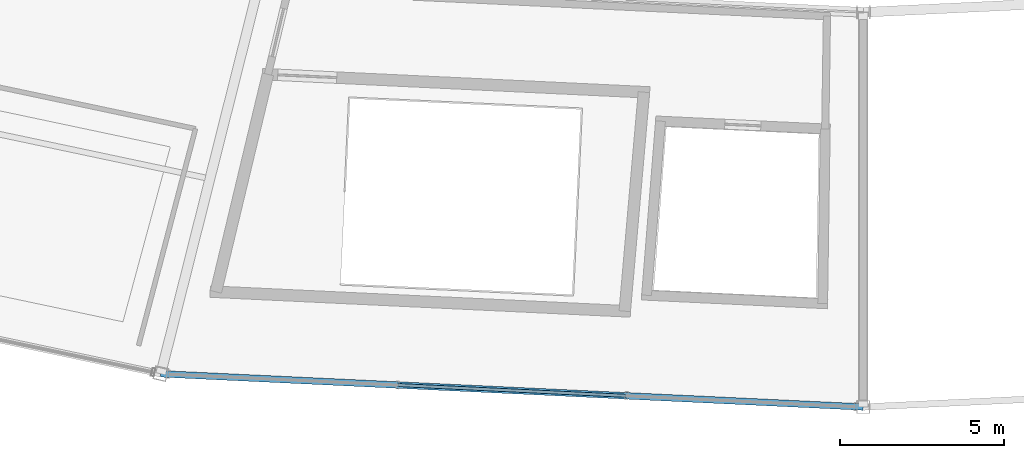
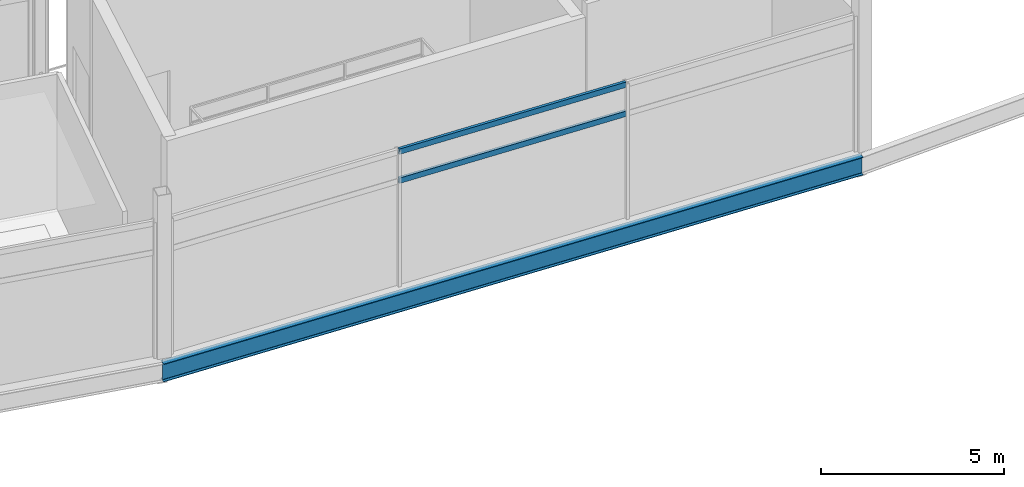
# One storey, part 32 of 86: 2 members, 1 beam, 1 element without a shape of its own.
"""IFC4 building model written with IfcOpenShell, lengths in metres."""

from ifc_helpers import new_model, si_unit, direction, frame, origin, origin_2d, place, context, subcontext, project, spatial, hollow_rectangle, i_section, extrude, material, layer, layer_set, material_profile, profile_set, type_object, element, aggregate, save


model = new_model("IFC4")

# Units and contexts
model_context = context("Model", 3, precision=1e-05, world=origin(), true_north=direction((0.0, 1.0)))
body_context = subcontext(model_context, "Body", "Model", "MODEL_VIEW")
ifc_project = project(units=[si_unit("LENGTHUNIT", "METRE"), si_unit("AREAUNIT", "SQUARE_METRE"), si_unit("VOLUMEUNIT", "CUBIC_METRE"), si_unit("PLANEANGLEUNIT", "RADIAN"), si_unit("MASSUNIT", "GRAM", prefix="KILO")], contexts=[model_context])

# Site, building, storey
site_placement = place(None, origin())
site = spatial("IfcSite", under=ifc_project, at=site_placement, CompositionType="ELEMENT")
building_placement = place(site_placement, origin())
building = spatial("IfcBuilding", under=site, at=building_placement, Name="Kazemori Nagisa Stadium", CompositionType="ELEMENT")
storey_placement = place(building_placement, frame((0.0, 0.0, 31.280029296875)))
storey = spatial("IfcBuildingStorey", under=building, at=storey_placement, Name="L06", CompositionType="ELEMENT", Elevation=31.280029296875)

# Beam
ifc_material_1 = material(Name="Steel SN490B", Category="steel")
ifc_material_profile_1 = material_profile(ifc_material_1, i_section(OverallWidth=0.199951171875, OverallDepth=0.60009765625, WebThickness=0.010986328125, FlangeThickness=0.01708984375, FilletRadius=0.012939453125, at=origin_2d()), Name="H-600x200x11x17")
ifc_profile_set_1 = profile_set([ifc_material_profile_1], Name="Steel SN490B")
beam_type = type_object("IfcBeamType", Name="Beam_BS-H600", PredefinedType="SPANDREL", material=ifc_profile_set_1)
beam_placement = place(storey_placement, frame((101.572265625, 17.01318359375, -0.56005859375), z_axis=(0.998883994571, -0.047230979144, 0.0), x_axis=(0.047230979144, 0.998883994571, 0.0)))
element("IfcBeam", 1, at=beam_placement, inside=storey, type_object=beam_type, Name="Ring girder BS-H600 L06 R3-21", PredefinedType="SPANDREL", context=body_context, shape_type="SweptSolid", body=[
    extrude(i_section(OverallWidth=0.199951171875, OverallDepth=0.60009765625, WebThickness=0.010986328125, FlangeThickness=0.01708984375, FilletRadius=0.012939453125, at=origin_2d()), origin(), (0.0, 0.0, 1.0), 21.45166015625),
])

# Curtain wall, members
ifc_material_2 = material(Name="Anodised aluminium 6063-T5", Category="aluminium")
ifc_layer = layer(ifc_material_2, 0.239990234375, Name="Anodised aluminium 6063-T5", Category="aluminium")
ifc_layer_set = layer_set([ifc_layer], Name="Anodised aluminium 6063-T5")
curtain_wall_type = type_object("IfcCurtainWallType", Name="CW_L06R3_105", PredefinedType="USERDEFINED", material=ifc_layer_set)
curtain_wall_placement = place(storey_placement, origin())
curtain_wall = element("IfcCurtainWall", 2, at=curtain_wall_placement, inside=storey, type_object=curtain_wall_type, Name="Unitised curtain wall CW-L06R3-105 L06", ObjectType="UNITISED CURTAIN WALL", PredefinedType="USERDEFINED")
ifc_material_3 = material(Name="Aluminium 6063-T5 anodised", Category="aluminium")
ifc_material_profile_2 = material_profile(ifc_material_3, hollow_rectangle(XDim=0.090087890625, YDim=0.179931640625, WallThickness=0.0048828125, at=origin_2d()), Name="ALU-TRAN-90x180x5")
ifc_profile_set_2 = profile_set([ifc_material_profile_2], Name="Aluminium 6063-T5 anodised")
member_type = type_object("IfcMemberType", Name="Transom_T03", PredefinedType="USERDEFINED", material=ifc_profile_set_2)
member_1_placement = place(storey_placement, frame((108.81298828125, 16.6708984375, 3.47265625), z_axis=(0.99888286335, -0.047254897163, 0.0), x_axis=(0.047254897163, 0.99888286335, 0.0)))
member_1 = element("IfcMember", 3, at=member_1_placement, type_object=member_type, Name="Curtain wall transom CW-L06R3-105-T2-mid", ObjectType="TRANSOM", PredefinedType="USERDEFINED", context=body_context, shape_type="SweptSolid", body=[
    extrude(hollow_rectangle(XDim=0.090087890625, YDim=0.179931640625, WallThickness=0.0048828125, at=origin_2d()), origin(), (0.0, 0.0, 1.0), 6.9541015625),
])
member_2_placement = place(storey_placement, frame((108.81298828125, 16.6708984375, 4.43994140625), z_axis=(0.99888286335, -0.047254897163, 0.0), x_axis=(0.047254897163, 0.99888286335, 0.0)))
member_2 = element("IfcMember", 4, at=member_2_placement, type_object=member_type, Name="Curtain wall transom CW-L06R3-105-T2-head", ObjectType="TRANSOM", PredefinedType="USERDEFINED", context=body_context, shape_type="SweptSolid", body=[
    extrude(hollow_rectangle(XDim=0.090087890625, YDim=0.179931640625, WallThickness=0.0048828125, at=origin_2d()), origin(), (0.0, 0.0, 1.0), 6.9541015625),
])
aggregate(curtain_wall, [member_1, member_2])

save(model, "model.ifc")
